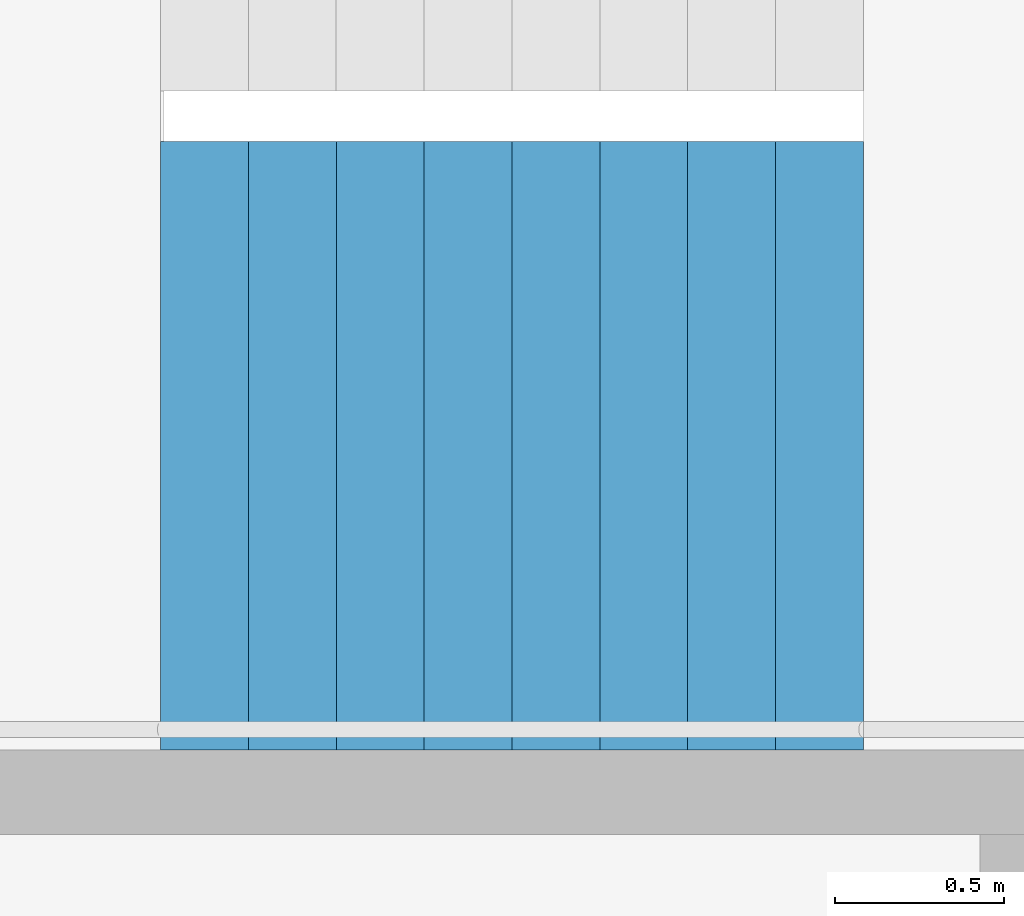
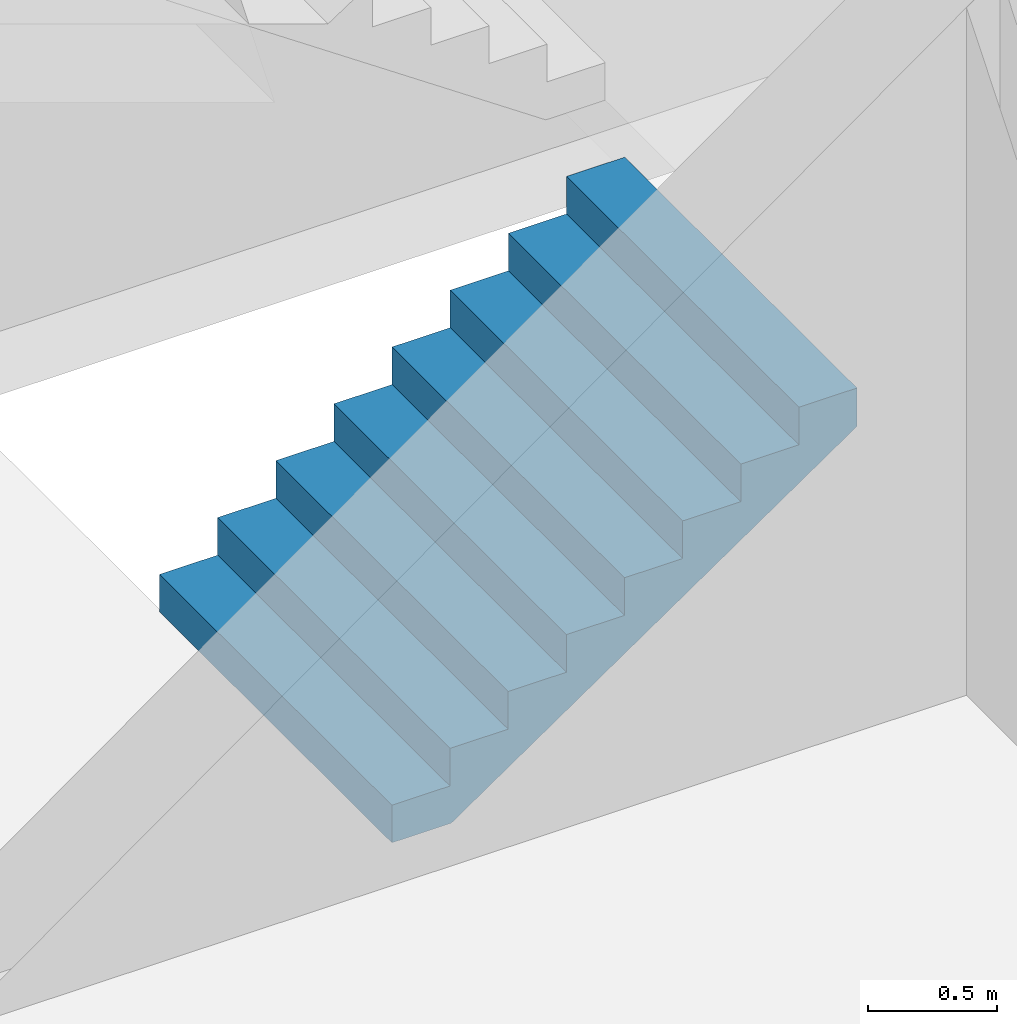
# One storey, part 19 of 41: 1 stair flight, 1 element without a shape of its own.
"""IFC4 building model written with IfcOpenShell, lengths in metres."""

import ifcopenshell
import ifcopenshell.guid

model = None  # the IFC model being written
_history = None  # IfcOwnerHistory: only IFC2X3 demands one
_inside = {}  # id of a spatial element -> (the spatial element, [elements in it])
_under = {}  # id of a project, library or spatial element -> (it, [spatial elements below it])
_declared = {}  # id of a project -> (the project, [libraries it declares])
_typed = {}  # id of a type object -> (the type object, [elements of that type])
_made_of = {}  # id of a material, layer set ... -> (it, [elements and type objects made of it])


def new_model(schema):
    """Start an empty IFC model of exactly this schema.

    Asked for "IFC4X3", IfcOpenShell would pick the latest addendum, in which some entities
    have other attributes; the version numbers below select the first issue.
    IFC2X3 requires an IfcOwnerHistory on every rooted entity: one is made here for all.
    """
    global model, _history
    if schema == "IFC4X3":
        model = ifcopenshell.file(schema_version=(4, 3, 0, 0))
    else:
        model = ifcopenshell.file(schema=schema)
    _inside.clear()
    _under.clear()
    _declared.clear()
    _typed.clear()
    _made_of.clear()
    _history = None
    if model.schema == "IFC2X3":
        org = make("IfcOrganization", Name="unknown")
        user = make(
            "IfcPersonAndOrganization",
            ThePerson=make("IfcPerson", FamilyName="unknown"),
            TheOrganization=org,
        )
        app = make(
            "IfcApplication",
            ApplicationDeveloper=org,
            Version="unknown",
            ApplicationFullName="unknown",
            ApplicationIdentifier="unknown",
        )
        _history = make(
            "IfcOwnerHistory",
            OwningUser=user,
            OwningApplication=app,
            ChangeAction="ADDED",
            CreationDate=0,
        )
    return model


def make(cls, **values):
    """One entity of the class cls with the attributes given. An attribute that is None is left unset."""
    return model.create_entity(
        cls, **{name: value for name, value in values.items() if value is not None}
    )


def rooted(cls, **values):
    """An entity with a GlobalId (a new one), such as an element, a storey or a relation."""
    return make(cls, GlobalId=ifcopenshell.guid.new(), OwnerHistory=_history, **values)


def si_unit(unit_type, name, prefix=None):
    """IfcSIUnit, for example si_unit("LENGTHUNIT", "METRE", prefix="MILLI")."""
    return make("IfcSIUnit", UnitType=unit_type, Prefix=prefix, Name=name)


def assignment(units):
    """IfcUnitAssignment: the units of a project."""
    return None if units is None else make("IfcUnitAssignment", Units=units)


def point(xyz):
    """IfcCartesianPoint."""
    return None if xyz is None else make("IfcCartesianPoint", Coordinates=xyz)


def direction(xyz):
    """IfcDirection."""
    return None if xyz is None else make("IfcDirection", DirectionRatios=xyz)


def frame(location, z_axis=None, x_axis=None):
    """IfcAxis2Placement3D, a coordinate frame: its origin and axes. An axis left out is left unset."""
    return make(
        "IfcAxis2Placement3D",
        Location=point(location),
        Axis=direction(z_axis),
        RefDirection=direction(x_axis),
    )


def origin():
    """The frame at (0, 0, 0) with its axes left unset."""
    return frame((0.0, 0.0, 0.0))


def place(relative_to, where):
    """IfcLocalPlacement: puts the frame where relative to a parent placement (None: the world)."""
    return make(
        "IfcLocalPlacement", PlacementRelTo=relative_to, RelativePlacement=where
    )


def context(
    kind, dimensions, precision=None, world=None, true_north=None, identifier=None
):
    """IfcGeometricRepresentationContext, for example the 3D "Model" context."""
    return make(
        "IfcGeometricRepresentationContext",
        ContextIdentifier=identifier,
        ContextType=kind,
        CoordinateSpaceDimension=dimensions,
        Precision=precision,
        WorldCoordinateSystem=world,
        TrueNorth=true_north,
    )


def subcontext(parent, identifier, kind, view, scale=None):
    """IfcGeometricRepresentationSubContext, for example "Body" below "Model"."""
    return make(
        "IfcGeometricRepresentationSubContext",
        ContextIdentifier=identifier,
        ContextType=kind,
        ParentContext=parent,
        TargetScale=scale,
        TargetView=view,
    )


def project(units=None, contexts=None):
    """IfcProject with its units and contexts."""
    return rooted(
        "IfcProject",
        Name="project",
        RepresentationContexts=contexts,
        UnitsInContext=assignment(units),
    )


def spatial(cls, under=None, at=None, **own):
    """A site, building, storey or space (cls), placed at a placement, below another one or the project."""
    s = rooted(cls, ObjectPlacement=at, **own)
    if under is not None:
        _under.setdefault(under.id(), (under, []))[1].append(s)
    return s


def point_list(points):
    """IfcCartesianPointList2D or 3D."""
    cls = (
        "IfcCartesianPointList2D" if len(points[0]) == 2 else "IfcCartesianPointList3D"
    )
    return make(cls, CoordList=points)


def triangles(points, corners, closed=None, point_numbers=None):
    """IfcTriangulatedFaceSet: each triangle names its three corners, points numbered from 1."""
    return make(
        "IfcTriangulatedFaceSet",
        Coordinates=point_list(points),
        Closed=closed,
        CoordIndex=corners,
        PnIndex=point_numbers,
    )


def shape(context_of_items, identifier, shape_type, items):
    """IfcShapeRepresentation: the items that make up one representation, for example the "Body"."""
    return make(
        "IfcShapeRepresentation",
        ContextOfItems=context_of_items,
        RepresentationIdentifier=identifier,
        RepresentationType=shape_type,
        Items=items,
    )


def material(Name=None, Category=None):
    """IfcMaterial."""
    return make("IfcMaterial", Name=Name, Category=Category)


def made_of(thing, what):
    """Note that an element or type object is made of a material, layer set ...; save() writes the relation."""
    if what is not None:
        _made_of.setdefault(what.id(), (what, []))[1].append(thing)
    return thing


def type_object(cls, material=None, **own):
    """A type object (cls), such as IfcWallType, which elements share."""
    return made_of(rooted(cls, **own), material)


def element(
    cls,
    number,
    at=None,
    inside=None,
    cuts=None,
    type_object=None,
    material=None,
    context=None,
    identifier="Body",
    shape_type=None,
    held_by="IfcProductDefinitionShape",
    body=None,
    shapes=None,
    **own,
):
    """One element of the class cls, such as IfcWall. Its Tag is "e" and its number.

    at: its placement. inside: the storey or other place that contains it. cuts: it is an
    opening in that element (IfcRelVoidsElement). A single representation is given by context,
    identifier, shape_type and body (its items); several are given by shapes. held_by: the class
    of the entity that holds the representations. save() writes the other relations.
    """
    e = rooted(cls, Tag="e%d" % number, ObjectPlacement=at, **own)
    if body is not None:
        shapes = [shape(context, identifier, shape_type, body)]
    if shapes is not None:
        e.Representation = make(held_by, Representations=shapes)
    if inside is not None:
        _inside.setdefault(inside.id(), (inside, []))[1].append(e)
    if cuts is not None:
        rooted(
            "IfcRelVoidsElement", RelatingBuildingElement=cuts, RelatedOpeningElement=e
        )
    if type_object is not None:
        _typed.setdefault(type_object.id(), (type_object, []))[1].append(e)
    return made_of(e, material)


def aggregate(whole, parts):
    """IfcRelAggregates: a whole, such as a stair, and the parts it consists of."""
    return rooted("IfcRelAggregates", RelatingObject=whole, RelatedObjects=parts)


def save(model, path):
    """Write the relations noted so far, then the file.

    IfcRelAggregates (storeys below a building ...), IfcRelContainedInSpatialStructure (elements
    in a storey), IfcRelDefinesByType, IfcRelAssociatesMaterial and IfcRelDeclares: one each for
    every whole, place, type object, material and project.
    """
    for whole, parts in _under.values():
        aggregate(whole, parts)
    for where, things in _inside.values():
        rooted(
            "IfcRelContainedInSpatialStructure",
            RelatedElements=things,
            RelatingStructure=where,
        )
    for kind, things in _typed.values():
        rooted("IfcRelDefinesByType", RelatedObjects=things, RelatingType=kind)
    for what, things in _made_of.values():
        rooted("IfcRelAssociatesMaterial", RelatedObjects=things, RelatingMaterial=what)
    for by, libraries in _declared.values():
        rooted("IfcRelDeclares", RelatingContext=by, RelatedDefinitions=libraries)
    model.write(path)


model = new_model("IFC4")

# Units and contexts
model_context = context("Model", 3, precision=1e-05, world=origin(), true_north=direction((0.0, 1.0)))
body_context = subcontext(model_context, "Body", "Model", "MODEL_VIEW")
ifc_project = project(units=[si_unit("LENGTHUNIT", "METRE"), si_unit("AREAUNIT", "SQUARE_METRE"), si_unit("VOLUMEUNIT", "CUBIC_METRE"), si_unit("PLANEANGLEUNIT", "RADIAN"), si_unit("MASSUNIT", "GRAM", prefix="KILO")], contexts=[model_context])

# Site, building, storey
site_placement = place(None, origin())
site = spatial("IfcSite", under=ifc_project, at=site_placement, CompositionType="ELEMENT")
building_placement = place(site_placement, origin())
building = spatial("IfcBuilding", under=site, at=building_placement, Name="Hakoniwa Tower and Hamabe Station Hall", CompositionType="ELEMENT")
storey_placement = place(building_placement, frame((0.0, 0.0, 180.199951171875)))
storey = spatial("IfcBuildingStorey", under=building, at=storey_placement, Name="L51", CompositionType="ELEMENT", Elevation=180.199951171875)

# Stair, stair flight
ifc_material_1 = material(Name="Concrete C40", Category="concrete")
stair_type = type_object("IfcStairType", Name="ESCAPE STAIR 1800", PredefinedType="HALF_TURN_STAIR", material=ifc_material_1)
stair_placement = place(storey_placement, origin())
stair = element("IfcStair", 1, at=stair_placement, inside=storey, type_object=stair_type, Name="Escape stair ST-1 L51", PredefinedType="HALF_TURN_STAIR")
ifc_material_2 = material(Name="Concrete C40", Category="concrete")
stair_flight_type = type_object("IfcStairFlightType", Name="STAIR FLIGHT 1800", PredefinedType="STRAIGHT", material=ifc_material_2)
stair_flight_placement = place(storey_placement, frame((-24.39990234375, 4.64990234375, 0.0), z_axis=(0.0, 0.0, 1.0), x_axis=(1.0, 0.0, 0.0)))
stair_flight = element("IfcStairFlight", 2, at=stair_flight_placement, type_object=stair_flight_type, Name="ST-1 flight 1", NumberOfRisers=9, NumberOfTreads=8, PredefinedType="STRAIGHT", RiserHeight=0.177777778, TreadLength=0.26, context=body_context, shape_type="Tessellation", body=[
    triangles([(0.0, 0.89990234375, 0.0), (0.260009765625, 0.89990234375, 0.0), (0.265625, 0.89990234375, 0.0), (0.52001953125, 0.89990234375, 0.174072265625), (0.780029296875, 0.89990234375, 0.351806640625), (1.0400390625, 0.89990234375, 0.529541015625), (1.300048828125, 0.89990234375, 0.707275390625), (1.56005859375, 0.89990234375, 0.885009765625), (1.820068359375, 0.89990234375, 1.062744140625), (2.080078125, 0.89990234375, 1.24072265625), (2.080078125, 0.89990234375, 1.422119140625), (1.820068359375, 0.89990234375, 1.422119140625), (1.820068359375, 0.89990234375, 1.244384765625), (1.56005859375, 0.89990234375, 1.244384765625), (1.56005859375, 0.89990234375, 1.066650390625), (1.300048828125, 0.89990234375, 1.066650390625), (1.300048828125, 0.89990234375, 0.888916015625), (1.0400390625, 0.89990234375, 0.888916015625), (1.0400390625, 0.89990234375, 0.711181640625), (0.780029296875, 0.89990234375, 0.711181640625), (0.780029296875, 0.89990234375, 0.533447265625), (0.52001953125, 0.89990234375, 0.533447265625), (0.52001953125, 0.89990234375, 0.35546875), (0.265625, 0.89990234375, 0.35546875), (0.260009765625, 0.89990234375, 0.35546875), (0.260009765625, 0.89990234375, 0.177734375), (0.0, 0.89990234375, 0.177734375), (0.0, 0.06005859375, 0.0), (0.260009765625, 0.06005859375, 0.0), (0.265625, 0.06005859375, 0.0), (0.52001953125, 0.06005859375, 0.174072265625), (0.780029296875, 0.06005859375, 0.351806640625), (1.0400390625, 0.06005859375, 0.529541015625), (1.300048828125, 0.06005859375, 0.707275390625), (1.56005859375, 0.06005859375, 0.885009765625), (1.820068359375, 0.06005859375, 1.062744140625), (2.080078125, 0.06005859375, 1.24072265625), (2.080078125, 0.06005859375, 1.422119140625), (1.820068359375, 0.06005859375, 1.422119140625), (1.820068359375, 0.06005859375, 1.244384765625), (1.56005859375, 0.06005859375, 1.244384765625), (1.56005859375, 0.06005859375, 1.066650390625), (1.300048828125, 0.06005859375, 1.066650390625), (1.300048828125, 0.06005859375, 0.888916015625), (1.0400390625, 0.06005859375, 0.888916015625), (1.0400390625, 0.06005859375, 0.711181640625), (0.780029296875, 0.06005859375, 0.711181640625), (0.780029296875, 0.06005859375, 0.533447265625), (0.52001953125, 0.06005859375, 0.533447265625), (0.52001953125, 0.06005859375, 0.35546875), (0.265625, 0.06005859375, 0.35546875), (0.260009765625, 0.06005859375, 0.35546875), (0.260009765625, 0.06005859375, 0.177734375), (0.0, 0.06005859375, 0.177734375), (0.0, 0.04296875, 0.0), (0.260009765625, 0.04296875, 0.0), (0.265625, 0.04296875, 0.0), (0.52001953125, 0.04296875, 0.174072265625), (0.780029296875, 0.04296875, 0.351806640625), (1.0400390625, 0.04296875, 0.529541015625), (1.300048828125, 0.04296875, 0.707275390625), (1.56005859375, 0.04296875, 0.885009765625), (1.820068359375, 0.04296875, 1.062744140625), (2.080078125, 0.04296875, 1.24072265625), (2.080078125, 0.04296875, 1.422119140625), (1.820068359375, 0.04296875, 1.422119140625), (1.820068359375, 0.04296875, 1.244384765625), (1.56005859375, 0.04296875, 1.244384765625), (1.56005859375, 0.04296875, 1.066650390625), (1.300048828125, 0.04296875, 1.066650390625), (1.300048828125, 0.04296875, 0.888916015625), (1.0400390625, 0.04296875, 0.888916015625), (1.0400390625, 0.04296875, 0.711181640625), (0.780029296875, 0.04296875, 0.711181640625), (0.780029296875, 0.04296875, 0.533447265625), (0.52001953125, 0.04296875, 0.533447265625), (0.52001953125, 0.04296875, 0.35546875), (0.265625, 0.04296875, 0.35546875), (0.260009765625, 0.04296875, 0.35546875), (0.260009765625, 0.04296875, 0.177734375), (0.0, 0.04296875, 0.177734375), (0.0, 0.025634765625, 0.0), (0.260009765625, 0.025634765625, 0.0), (0.265625, 0.025634765625, 0.0), (0.52001953125, 0.025634765625, 0.174072265625), (0.780029296875, 0.025634765625, 0.351806640625), (1.0400390625, 0.025634765625, 0.529541015625), (1.300048828125, 0.025634765625, 0.707275390625), (1.56005859375, 0.025634765625, 0.885009765625), (1.820068359375, 0.025634765625, 1.062744140625), (2.080078125, 0.025634765625, 1.24072265625), (2.080078125, 0.025634765625, 1.422119140625), (1.820068359375, 0.025634765625, 1.422119140625), (1.820068359375, 0.025634765625, 1.244384765625), (1.56005859375, 0.025634765625, 1.244384765625), (1.56005859375, 0.025634765625, 1.066650390625), (1.300048828125, 0.025634765625, 1.066650390625), (1.300048828125, 0.025634765625, 0.888916015625), (1.0400390625, 0.025634765625, 0.888916015625), (1.0400390625, 0.025634765625, 0.711181640625), (0.780029296875, 0.025634765625, 0.711181640625), (0.780029296875, 0.025634765625, 0.533447265625), (0.52001953125, 0.025634765625, 0.533447265625), (0.52001953125, 0.025634765625, 0.35546875), (0.265625, 0.025634765625, 0.35546875), (0.260009765625, 0.025634765625, 0.35546875), (0.260009765625, 0.025634765625, 0.177734375), (0.0, 0.025634765625, 0.177734375), (0.0, 0.008544921875, 0.0), (0.260009765625, 0.008544921875, 0.0), (0.265625, 0.008544921875, 0.0), (0.52001953125, 0.008544921875, 0.174072265625), (0.780029296875, 0.008544921875, 0.351806640625), (1.0400390625, 0.008544921875, 0.529541015625), (1.300048828125, 0.008544921875, 0.707275390625), (1.56005859375, 0.008544921875, 0.885009765625), (1.820068359375, 0.008544921875, 1.062744140625), (2.080078125, 0.008544921875, 1.24072265625), (2.080078125, 0.008544921875, 1.422119140625), (1.820068359375, 0.008544921875, 1.422119140625), (1.820068359375, 0.008544921875, 1.244384765625), (1.56005859375, 0.008544921875, 1.244384765625), (1.56005859375, 0.008544921875, 1.066650390625), (1.300048828125, 0.008544921875, 1.066650390625), (1.300048828125, 0.008544921875, 0.888916015625), (1.0400390625, 0.008544921875, 0.888916015625), (1.0400390625, 0.008544921875, 0.711181640625), (0.780029296875, 0.008544921875, 0.711181640625), (0.780029296875, 0.008544921875, 0.533447265625), (0.52001953125, 0.008544921875, 0.533447265625), (0.52001953125, 0.008544921875, 0.35546875), (0.265625, 0.008544921875, 0.35546875), (0.260009765625, 0.008544921875, 0.35546875), (0.260009765625, 0.008544921875, 0.177734375), (0.0, 0.008544921875, 0.177734375), (0.0, -0.008544921875, 0.0), (0.260009765625, -0.008544921875, 0.0), (0.265625, -0.008544921875, 0.0), (0.52001953125, -0.008544921875, 0.174072265625), (0.780029296875, -0.008544921875, 0.351806640625), (1.0400390625, -0.008544921875, 0.529541015625), (1.300048828125, -0.008544921875, 0.707275390625), (1.56005859375, -0.008544921875, 0.885009765625), (1.820068359375, -0.008544921875, 1.062744140625), (2.080078125, -0.008544921875, 1.24072265625), (2.080078125, -0.008544921875, 1.422119140625), (1.820068359375, -0.008544921875, 1.422119140625), (1.820068359375, -0.008544921875, 1.244384765625), (1.56005859375, -0.008544921875, 1.244384765625), (1.56005859375, -0.008544921875, 1.066650390625), (1.300048828125, -0.008544921875, 1.066650390625), (1.300048828125, -0.008544921875, 0.888916015625), (1.0400390625, -0.008544921875, 0.888916015625), (1.0400390625, -0.008544921875, 0.711181640625), (0.780029296875, -0.008544921875, 0.711181640625), (0.780029296875, -0.008544921875, 0.533447265625), (0.52001953125, -0.008544921875, 0.533447265625), (0.52001953125, -0.008544921875, 0.35546875), (0.265625, -0.008544921875, 0.35546875), (0.260009765625, -0.008544921875, 0.35546875), (0.260009765625, -0.008544921875, 0.177734375), (0.0, -0.008544921875, 0.177734375), (0.0, -0.025634765625, 0.0), (0.260009765625, -0.025634765625, 0.0), (0.265625, -0.025634765625, 0.0), (0.52001953125, -0.025634765625, 0.174072265625), (0.780029296875, -0.025634765625, 0.351806640625), (1.0400390625, -0.025634765625, 0.529541015625), (1.300048828125, -0.025634765625, 0.707275390625), (1.56005859375, -0.025634765625, 0.885009765625), (1.820068359375, -0.025634765625, 1.062744140625), (2.080078125, -0.025634765625, 1.24072265625), (2.080078125, -0.025634765625, 1.422119140625), (1.820068359375, -0.025634765625, 1.422119140625), (1.820068359375, -0.025634765625, 1.244384765625), (1.56005859375, -0.025634765625, 1.244384765625), (1.56005859375, -0.025634765625, 1.066650390625), (1.300048828125, -0.025634765625, 1.066650390625), (1.300048828125, -0.025634765625, 0.888916015625), (1.0400390625, -0.025634765625, 0.888916015625), (1.0400390625, -0.025634765625, 0.711181640625), (0.780029296875, -0.025634765625, 0.711181640625), (0.780029296875, -0.025634765625, 0.533447265625), (0.52001953125, -0.025634765625, 0.533447265625), (0.52001953125, -0.025634765625, 0.35546875), (0.265625, -0.025634765625, 0.35546875), (0.260009765625, -0.025634765625, 0.35546875), (0.260009765625, -0.025634765625, 0.177734375), (0.0, -0.025634765625, 0.177734375), (0.0, -0.04296875, 0.0), (0.260009765625, -0.04296875, 0.0), (0.265625, -0.04296875, 0.0), (0.52001953125, -0.04296875, 0.174072265625), (0.780029296875, -0.04296875, 0.351806640625), (1.0400390625, -0.04296875, 0.529541015625), (1.300048828125, -0.04296875, 0.707275390625), (1.56005859375, -0.04296875, 0.885009765625), (1.820068359375, -0.04296875, 1.062744140625), (2.080078125, -0.04296875, 1.24072265625), (2.080078125, -0.04296875, 1.422119140625), (1.820068359375, -0.04296875, 1.422119140625), (1.820068359375, -0.04296875, 1.244384765625), (1.56005859375, -0.04296875, 1.244384765625), (1.56005859375, -0.04296875, 1.066650390625), (1.300048828125, -0.04296875, 1.066650390625), (1.300048828125, -0.04296875, 0.888916015625), (1.0400390625, -0.04296875, 0.888916015625), (1.0400390625, -0.04296875, 0.711181640625), (0.780029296875, -0.04296875, 0.711181640625), (0.780029296875, -0.04296875, 0.533447265625), (0.52001953125, -0.04296875, 0.533447265625), (0.52001953125, -0.04296875, 0.35546875), (0.265625, -0.04296875, 0.35546875), (0.260009765625, -0.04296875, 0.35546875), (0.260009765625, -0.04296875, 0.177734375), (0.0, -0.04296875, 0.177734375), (0.0, -0.06005859375, 0.0), (0.260009765625, -0.06005859375, 0.0), (0.265625, -0.06005859375, 0.0), (0.52001953125, -0.06005859375, 0.174072265625), (0.780029296875, -0.06005859375, 0.351806640625), (1.0400390625, -0.06005859375, 0.529541015625), (1.300048828125, -0.06005859375, 0.707275390625), (1.56005859375, -0.06005859375, 0.885009765625), (1.820068359375, -0.06005859375, 1.062744140625), (2.080078125, -0.06005859375, 1.24072265625), (2.080078125, -0.06005859375, 1.422119140625), (1.820068359375, -0.06005859375, 1.422119140625), (1.820068359375, -0.06005859375, 1.244384765625), (1.56005859375, -0.06005859375, 1.244384765625), (1.56005859375, -0.06005859375, 1.066650390625), (1.300048828125, -0.06005859375, 1.066650390625), (1.300048828125, -0.06005859375, 0.888916015625), (1.0400390625, -0.06005859375, 0.888916015625), (1.0400390625, -0.06005859375, 0.711181640625), (0.780029296875, -0.06005859375, 0.711181640625), (0.780029296875, -0.06005859375, 0.533447265625), (0.52001953125, -0.06005859375, 0.533447265625), (0.52001953125, -0.06005859375, 0.35546875), (0.265625, -0.06005859375, 0.35546875), (0.260009765625, -0.06005859375, 0.35546875), (0.260009765625, -0.06005859375, 0.177734375), (0.0, -0.06005859375, 0.177734375), (0.0, -0.89990234375, 0.0), (0.260009765625, -0.89990234375, 0.0), (0.265625, -0.89990234375, 0.0), (0.52001953125, -0.89990234375, 0.174072265625), (0.780029296875, -0.89990234375, 0.351806640625), (1.0400390625, -0.89990234375, 0.529541015625), (1.300048828125, -0.89990234375, 0.707275390625), (1.56005859375, -0.89990234375, 0.885009765625), (1.820068359375, -0.89990234375, 1.062744140625), (2.080078125, -0.89990234375, 1.24072265625), (2.080078125, -0.89990234375, 1.422119140625), (1.820068359375, -0.89990234375, 1.422119140625), (1.820068359375, -0.89990234375, 1.244384765625), (1.56005859375, -0.89990234375, 1.244384765625), (1.56005859375, -0.89990234375, 1.066650390625), (1.300048828125, -0.89990234375, 1.066650390625), (1.300048828125, -0.89990234375, 0.888916015625), (1.0400390625, -0.89990234375, 0.888916015625), (1.0400390625, -0.89990234375, 0.711181640625), (0.780029296875, -0.89990234375, 0.711181640625), (0.780029296875, -0.89990234375, 0.533447265625), (0.52001953125, -0.89990234375, 0.533447265625), (0.52001953125, -0.89990234375, 0.35546875), (0.265625, -0.89990234375, 0.35546875), (0.260009765625, -0.89990234375, 0.35546875), (0.260009765625, -0.89990234375, 0.177734375), (0.0, -0.89990234375, 0.177734375)], [[2, 27, 26], [245, 269, 270], [2, 1, 27], [245, 270, 244], [3, 25, 24], [246, 267, 268], [3, 26, 25], [246, 268, 269], [3, 2, 26], [246, 269, 245], [4, 24, 23], [247, 266, 267], [4, 3, 24], [247, 267, 246], [5, 22, 21], [248, 264, 265], [5, 23, 22], [248, 265, 266], [5, 4, 23], [248, 266, 247], [6, 20, 19], [249, 262, 263], [6, 21, 20], [249, 263, 264], [6, 5, 21], [249, 264, 248], [7, 18, 17], [250, 260, 261], [7, 19, 18], [250, 261, 262], [7, 6, 19], [250, 262, 249], [8, 16, 15], [251, 258, 259], [8, 17, 16], [251, 259, 260], [8, 7, 17], [251, 260, 250], [9, 14, 13], [252, 256, 257], [9, 15, 14], [252, 257, 258], [9, 8, 15], [252, 258, 251], [10, 12, 11], [253, 254, 255], [10, 13, 12], [253, 255, 256], [10, 9, 13], [253, 256, 252], [1, 2, 29], [1, 29, 28], [28, 29, 56], [28, 56, 55], [55, 56, 83], [55, 83, 82], [82, 83, 110], [82, 110, 109], [109, 110, 137], [109, 137, 136], [136, 137, 164], [136, 164, 163], [163, 164, 191], [163, 191, 190], [190, 191, 218], [190, 218, 217], [217, 218, 245], [217, 245, 244], [2, 3, 30], [2, 30, 29], [29, 30, 57], [29, 57, 56], [56, 57, 84], [56, 84, 83], [83, 84, 111], [83, 111, 110], [110, 111, 138], [110, 138, 137], [137, 138, 165], [137, 165, 164], [164, 165, 192], [164, 192, 191], [191, 192, 219], [191, 219, 218], [218, 219, 246], [218, 246, 245], [3, 4, 31], [3, 31, 30], [30, 31, 58], [30, 58, 57], [57, 58, 85], [57, 85, 84], [84, 85, 112], [84, 112, 111], [111, 112, 139], [111, 139, 138], [138, 139, 166], [138, 166, 165], [165, 166, 193], [165, 193, 192], [192, 193, 220], [192, 220, 219], [219, 220, 247], [219, 247, 246], [4, 5, 32], [4, 32, 31], [31, 32, 59], [31, 59, 58], [58, 59, 86], [58, 86, 85], [85, 86, 113], [85, 113, 112], [112, 113, 140], [112, 140, 139], [139, 140, 167], [139, 167, 166], [166, 167, 194], [166, 194, 193], [193, 194, 221], [193, 221, 220], [220, 221, 248], [220, 248, 247], [5, 6, 33], [5, 33, 32], [32, 33, 60], [32, 60, 59], [59, 60, 87], [59, 87, 86], [86, 87, 114], [86, 114, 113], [113, 114, 141], [113, 141, 140], [140, 141, 168], [140, 168, 167], [167, 168, 195], [167, 195, 194], [194, 195, 222], [194, 222, 221], [221, 222, 249], [221, 249, 248], [6, 7, 34], [6, 34, 33], [33, 34, 61], [33, 61, 60], [60, 61, 88], [60, 88, 87], [87, 88, 115], [87, 115, 114], [114, 115, 142], [114, 142, 141], [141, 142, 169], [141, 169, 168], [168, 169, 196], [168, 196, 195], [195, 196, 223], [195, 223, 222], [222, 223, 250], [222, 250, 249], [7, 8, 35], [7, 35, 34], [34, 35, 62], [34, 62, 61], [61, 62, 89], [61, 89, 88], [88, 89, 116], [88, 116, 115], [115, 116, 143], [115, 143, 142], [142, 143, 170], [142, 170, 169], [169, 170, 197], [169, 197, 196], [196, 197, 224], [196, 224, 223], [223, 224, 251], [223, 251, 250], [8, 9, 36], [8, 36, 35], [35, 36, 63], [35, 63, 62], [62, 63, 90], [62, 90, 89], [89, 90, 117], [89, 117, 116], [116, 117, 144], [116, 144, 143], [143, 144, 171], [143, 171, 170], [170, 171, 198], [170, 198, 197], [197, 198, 225], [197, 225, 224], [224, 225, 252], [224, 252, 251], [9, 10, 37], [9, 37, 36], [36, 37, 64], [36, 64, 63], [63, 64, 91], [63, 91, 90], [90, 91, 118], [90, 118, 117], [117, 118, 145], [117, 145, 144], [144, 145, 172], [144, 172, 171], [171, 172, 199], [171, 199, 198], [198, 199, 226], [198, 226, 225], [225, 226, 253], [225, 253, 252], [10, 11, 38], [10, 38, 37], [37, 38, 65], [37, 65, 64], [64, 65, 92], [64, 92, 91], [91, 92, 119], [91, 119, 118], [118, 119, 146], [118, 146, 145], [145, 146, 173], [145, 173, 172], [172, 173, 200], [172, 200, 199], [199, 200, 227], [199, 227, 226], [226, 227, 254], [226, 254, 253], [11, 12, 39], [11, 39, 38], [38, 39, 66], [38, 66, 65], [65, 66, 93], [65, 93, 92], [92, 93, 120], [92, 120, 119], [119, 120, 147], [119, 147, 146], [146, 147, 174], [146, 174, 173], [173, 174, 201], [173, 201, 200], [200, 201, 228], [200, 228, 227], [227, 228, 255], [227, 255, 254], [12, 13, 40], [12, 40, 39], [39, 40, 67], [39, 67, 66], [66, 67, 94], [66, 94, 93], [93, 94, 121], [93, 121, 120], [120, 121, 148], [120, 148, 147], [147, 148, 175], [147, 175, 174], [174, 175, 202], [174, 202, 201], [201, 202, 229], [201, 229, 228], [228, 229, 256], [228, 256, 255], [13, 14, 41], [13, 41, 40], [40, 41, 68], [40, 68, 67], [67, 68, 95], [67, 95, 94], [94, 95, 122], [94, 122, 121], [121, 122, 149], [121, 149, 148], [148, 149, 176], [148, 176, 175], [175, 176, 203], [175, 203, 202], [202, 203, 230], [202, 230, 229], [229, 230, 257], [229, 257, 256], [14, 15, 42], [14, 42, 41], [41, 42, 69], [41, 69, 68], [68, 69, 96], [68, 96, 95], [95, 96, 123], [95, 123, 122], [122, 123, 150], [122, 150, 149], [149, 150, 177], [149, 177, 176], [176, 177, 204], [176, 204, 203], [203, 204, 231], [203, 231, 230], [230, 231, 258], [230, 258, 257], [15, 16, 43], [15, 43, 42], [42, 43, 70], [42, 70, 69], [69, 70, 97], [69, 97, 96], [96, 97, 124], [96, 124, 123], [123, 124, 151], [123, 151, 150], [150, 151, 178], [150, 178, 177], [177, 178, 205], [177, 205, 204], [204, 205, 232], [204, 232, 231], [231, 232, 259], [231, 259, 258], [16, 17, 44], [16, 44, 43], [43, 44, 71], [43, 71, 70], [70, 71, 98], [70, 98, 97], [97, 98, 125], [97, 125, 124], [124, 125, 152], [124, 152, 151], [151, 152, 179], [151, 179, 178], [178, 179, 206], [178, 206, 205], [205, 206, 233], [205, 233, 232], [232, 233, 260], [232, 260, 259], [17, 18, 45], [17, 45, 44], [44, 45, 72], [44, 72, 71], [71, 72, 99], [71, 99, 98], [98, 99, 126], [98, 126, 125], [125, 126, 153], [125, 153, 152], [152, 153, 180], [152, 180, 179], [179, 180, 207], [179, 207, 206], [206, 207, 234], [206, 234, 233], [233, 234, 261], [233, 261, 260], [18, 19, 46], [18, 46, 45], [45, 46, 73], [45, 73, 72], [72, 73, 100], [72, 100, 99], [99, 100, 127], [99, 127, 126], [126, 127, 154], [126, 154, 153], [153, 154, 181], [153, 181, 180], [180, 181, 208], [180, 208, 207], [207, 208, 235], [207, 235, 234], [234, 235, 262], [234, 262, 261], [19, 20, 47], [19, 47, 46], [46, 47, 74], [46, 74, 73], [73, 74, 101], [73, 101, 100], [100, 101, 128], [100, 128, 127], [127, 128, 155], [127, 155, 154], [154, 155, 182], [154, 182, 181], [181, 182, 209], [181, 209, 208], [208, 209, 236], [208, 236, 235], [235, 236, 263], [235, 263, 262], [20, 21, 48], [20, 48, 47], [47, 48, 75], [47, 75, 74], [74, 75, 102], [74, 102, 101], [101, 102, 129], [101, 129, 128], [128, 129, 156], [128, 156, 155], [155, 156, 183], [155, 183, 182], [182, 183, 210], [182, 210, 209], [209, 210, 237], [209, 237, 236], [236, 237, 264], [236, 264, 263], [21, 22, 49], [21, 49, 48], [48, 49, 76], [48, 76, 75], [75, 76, 103], [75, 103, 102], [102, 103, 130], [102, 130, 129], [129, 130, 157], [129, 157, 156], [156, 157, 184], [156, 184, 183], [183, 184, 211], [183, 211, 210], [210, 211, 238], [210, 238, 237], [237, 238, 265], [237, 265, 264], [22, 23, 50], [22, 50, 49], [49, 50, 77], [49, 77, 76], [76, 77, 104], [76, 104, 103], [103, 104, 131], [103, 131, 130], [130, 131, 158], [130, 158, 157], [157, 158, 185], [157, 185, 184], [184, 185, 212], [184, 212, 211], [211, 212, 239], [211, 239, 238], [238, 239, 266], [238, 266, 265], [23, 24, 51], [23, 51, 50], [50, 51, 78], [50, 78, 77], [77, 78, 105], [77, 105, 104], [104, 105, 132], [104, 132, 131], [131, 132, 159], [131, 159, 158], [158, 159, 186], [158, 186, 185], [185, 186, 213], [185, 213, 212], [212, 213, 240], [212, 240, 239], [239, 240, 267], [239, 267, 266], [24, 25, 52], [24, 52, 51], [51, 52, 79], [51, 79, 78], [78, 79, 106], [78, 106, 105], [105, 106, 133], [105, 133, 132], [132, 133, 160], [132, 160, 159], [159, 160, 187], [159, 187, 186], [186, 187, 214], [186, 214, 213], [213, 214, 241], [213, 241, 240], [240, 241, 268], [240, 268, 267], [25, 26, 53], [25, 53, 52], [52, 53, 80], [52, 80, 79], [79, 80, 107], [79, 107, 106], [106, 107, 134], [106, 134, 133], [133, 134, 161], [133, 161, 160], [160, 161, 188], [160, 188, 187], [187, 188, 215], [187, 215, 214], [214, 215, 242], [214, 242, 241], [241, 242, 269], [241, 269, 268], [26, 27, 54], [26, 54, 53], [53, 54, 81], [53, 81, 80], [80, 81, 108], [80, 108, 107], [107, 108, 135], [107, 135, 134], [134, 135, 162], [134, 162, 161], [161, 162, 189], [161, 189, 188], [188, 189, 216], [188, 216, 215], [215, 216, 243], [215, 243, 242], [242, 243, 270], [242, 270, 269], [27, 1, 28], [27, 28, 54], [54, 28, 55], [54, 55, 81], [81, 55, 82], [81, 82, 108], [108, 82, 109], [108, 109, 135], [135, 109, 136], [135, 136, 162], [162, 136, 163], [162, 163, 189], [189, 163, 190], [189, 190, 216], [216, 190, 217], [216, 217, 243], [243, 217, 244], [243, 244, 270]], closed=True),
])
aggregate(stair, [stair_flight])

save(model, "model.ifc")
